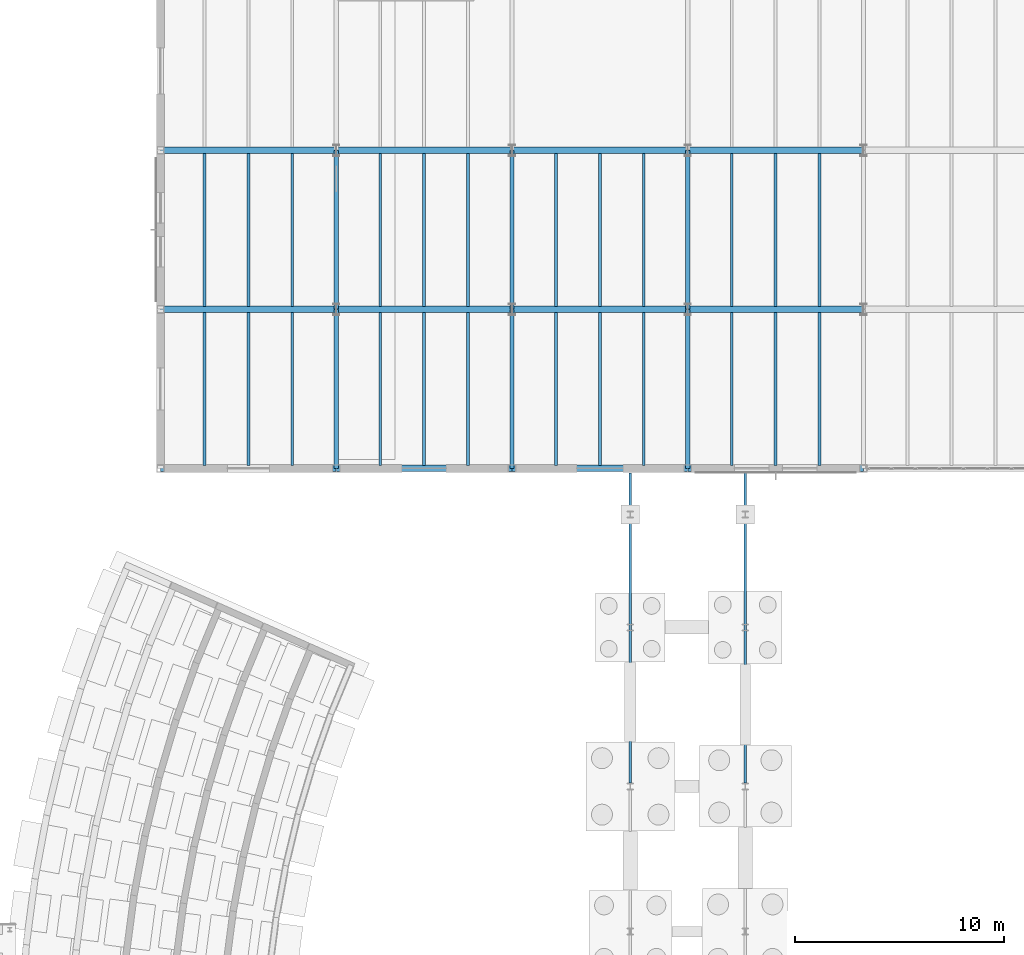
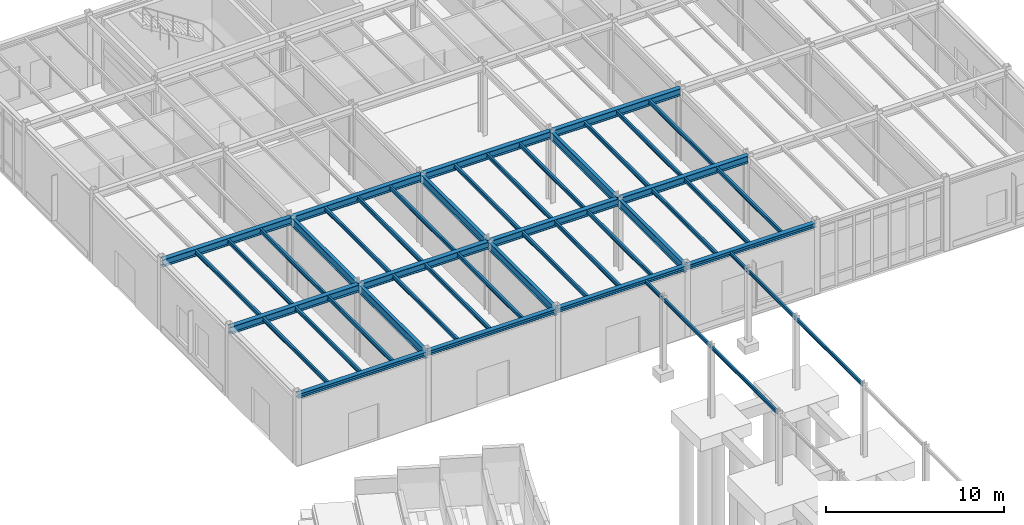
# One storey, part 58 of 109: 44 beams.
"""IFC4 building model written with IfcOpenShell, lengths in metres."""

from ifc_helpers import new_model, si_unit, direction, frame, origin, origin_2d, place, context, subcontext, project, spatial, i_section, extrude, material, material_profile, profile_set, type_object, element, save


model = new_model("IFC4")

# Units and contexts
model_context = context("Model", 3, precision=1e-05, world=origin(), true_north=direction((0.0, 1.0)))
body_context = subcontext(model_context, "Body", "Model", "MODEL_VIEW")
ifc_project = project(units=[si_unit("LENGTHUNIT", "METRE"), si_unit("AREAUNIT", "SQUARE_METRE"), si_unit("VOLUMEUNIT", "CUBIC_METRE"), si_unit("PLANEANGLEUNIT", "RADIAN"), si_unit("MASSUNIT", "GRAM", prefix="KILO")], contexts=[model_context])

# Site, building, storey
site_placement = place(None, origin())
site = spatial("IfcSite", under=ifc_project, at=site_placement, CompositionType="ELEMENT")
building_placement = place(site_placement, origin())
building = spatial("IfcBuilding", under=site, at=building_placement, Name="Montecoro Central Library", CompositionType="ELEMENT")
storey_placement = place(building_placement, origin())
storey = spatial("IfcBuildingStorey", under=building, at=storey_placement, Name="L00", CompositionType="ELEMENT", Elevation=0.0)

# Beams
ifc_material_1 = material(Name="Steel S355J2", Category="steel")
ifc_material_profile_1 = material_profile(ifc_material_1, i_section(OverallWidth=0.300048828125, OverallDepth=0.489990234375, WebThickness=0.011962890625, FlangeThickness=0.02294921875, at=origin_2d()), Name="HEA 500")
ifc_profile_set_1 = profile_set([ifc_material_profile_1], Name="Steel S355J2")
beam_type_1 = type_object("IfcBeamType", Name="BM-G-HEA500", PredefinedType="USERDEFINED", material=ifc_profile_set_1)
beam_1_placement = place(storey_placement, frame((66.405029296875, 88.60009765625, 4.60009765625), z_axis=(1.0, 0.0, 0.0), x_axis=(0.0, 1.0, 0.0)))
element("IfcBeam", 1, at=beam_1_placement, inside=storey, type_object=beam_type_1, Name="V2-L00-BX-910-M", ObjectType="GIRDER", PredefinedType="USERDEFINED", context=body_context, shape_type="SweptSolid", body=[
    extrude(i_section(OverallWidth=0.300048828125, OverallDepth=0.489990234375, WebThickness=0.011962890625, FlangeThickness=0.02294921875, at=origin_2d()), origin(), (0.0, 0.0, 1.0), 8.389892578125),
])
beam_2_placement = place(storey_placement, frame((74.804931640625, 88.60009765625, 4.60009765625), z_axis=(1.0, 0.0, 0.0), x_axis=(0.0, 1.0, 0.0)))
element("IfcBeam", 2, at=beam_2_placement, inside=storey, type_object=beam_type_1, Name="V2-L00-BX-1011-M", ObjectType="GIRDER", PredefinedType="USERDEFINED", context=body_context, shape_type="SweptSolid", body=[
    extrude(i_section(OverallWidth=0.300048828125, OverallDepth=0.489990234375, WebThickness=0.011962890625, FlangeThickness=0.02294921875, at=origin_2d()), origin(), (0.0, 0.0, 1.0), 8.39013671875),
])
beam_3_placement = place(storey_placement, frame((83.205078125, 88.60009765625, 4.60009765625), z_axis=(1.0, 0.0, 0.0), x_axis=(0.0, 1.0, 0.0)))
element("IfcBeam", 3, at=beam_3_placement, inside=storey, type_object=beam_type_1, Name="V2-L00-BX-1112-M", ObjectType="GIRDER", PredefinedType="USERDEFINED", context=body_context, shape_type="SweptSolid", body=[
    extrude(i_section(OverallWidth=0.300048828125, OverallDepth=0.489990234375, WebThickness=0.011962890625, FlangeThickness=0.02294921875, at=origin_2d()), origin(), (0.0, 0.0, 1.0), 8.389892578125),
])
beam_4_placement = place(storey_placement, frame((91.60498046875, 88.60009765625, 4.60009765625), z_axis=(1.0, 0.0, 0.0), x_axis=(0.0, 1.0, 0.0)))
element("IfcBeam", 4, at=beam_4_placement, inside=storey, type_object=beam_type_1, Name="V2-L00-BX-1213-M", ObjectType="GIRDER", PredefinedType="USERDEFINED", context=body_context, shape_type="SweptSolid", body=[
    extrude(i_section(OverallWidth=0.300048828125, OverallDepth=0.489990234375, WebThickness=0.011962890625, FlangeThickness=0.02294921875, at=origin_2d()), origin(), (0.0, 0.0, 1.0), 8.39013671875),
])
beam_5_placement = place(storey_placement, frame((66.405029296875, 96.199951171875, 4.60009765625), z_axis=(1.0, 0.0, 0.0), x_axis=(0.0, 1.0, 0.0)))
element("IfcBeam", 5, at=beam_5_placement, inside=storey, type_object=beam_type_1, Name="V2-L00-BX-910-N", ObjectType="GIRDER", PredefinedType="USERDEFINED", context=body_context, shape_type="SweptSolid", body=[
    extrude(i_section(OverallWidth=0.300048828125, OverallDepth=0.489990234375, WebThickness=0.011962890625, FlangeThickness=0.02294921875, at=origin_2d()), origin(), (0.0, 0.0, 1.0), 8.389892578125),
])
beam_6_placement = place(storey_placement, frame((74.804931640625, 96.199951171875, 4.60009765625), z_axis=(1.0, 0.0, 0.0), x_axis=(0.0, 1.0, 0.0)))
element("IfcBeam", 6, at=beam_6_placement, inside=storey, type_object=beam_type_1, Name="V2-L00-BX-1011-N", ObjectType="GIRDER", PredefinedType="USERDEFINED", context=body_context, shape_type="SweptSolid", body=[
    extrude(i_section(OverallWidth=0.300048828125, OverallDepth=0.489990234375, WebThickness=0.011962890625, FlangeThickness=0.02294921875, at=origin_2d()), origin(), (0.0, 0.0, 1.0), 8.39013671875),
])
beam_7_placement = place(storey_placement, frame((83.205078125, 96.199951171875, 4.60009765625), z_axis=(1.0, 0.0, 0.0), x_axis=(0.0, 1.0, 0.0)))
element("IfcBeam", 7, at=beam_7_placement, inside=storey, type_object=beam_type_1, Name="V2-L00-BX-1112-N", ObjectType="GIRDER", PredefinedType="USERDEFINED", context=body_context, shape_type="SweptSolid", body=[
    extrude(i_section(OverallWidth=0.300048828125, OverallDepth=0.489990234375, WebThickness=0.011962890625, FlangeThickness=0.02294921875, at=origin_2d()), origin(), (0.0, 0.0, 1.0), 8.389892578125),
])
beam_8_placement = place(storey_placement, frame((91.60498046875, 96.199951171875, 4.60009765625), z_axis=(1.0, 0.0, 0.0), x_axis=(0.0, 1.0, 0.0)))
element("IfcBeam", 8, at=beam_8_placement, inside=storey, type_object=beam_type_1, Name="V2-L00-BX-1213-N", ObjectType="GIRDER", PredefinedType="USERDEFINED", context=body_context, shape_type="SweptSolid", body=[
    extrude(i_section(OverallWidth=0.300048828125, OverallDepth=0.489990234375, WebThickness=0.011962890625, FlangeThickness=0.02294921875, at=origin_2d()), origin(), (0.0, 0.0, 1.0), 8.39013671875),
])
ifc_material_profile_2 = material_profile(ifc_material_1, i_section(OverallWidth=0.2099609375, OverallDepth=0.550048828125, WebThickness=0.010986328125, FlangeThickness=0.01708984375, at=origin_2d()), Name="IPE 550")
ifc_profile_set_2 = profile_set([ifc_material_profile_2], Name="Steel S355J2")
beam_type_2 = type_object("IfcBeamType", Name="BM-G-IPE550", PredefinedType="USERDEFINED", material=ifc_profile_set_2)
for number, where, z_axis, x_axis, name in (
    (9, (74.800048828125, 81.0048828125, 4.570068359375), (0.0, 1.0, 0.0), (-1.0, 0.0, 0.0), "V2-L00-BY-10-LM"),
    (10, (74.800048828125, 88.60498046875, 4.570068359375), (0.0, 1.0, 0.0), (-1.0, 0.0, 0.0), "V2-L00-BY-10-MN"),
    (11, (83.199951171875, 81.0048828125, 4.570068359375), (0.0, 1.0, 0.0), (-1.0, 0.0, 0.0), "V2-L00-BY-11-LM"),
    (12, (83.199951171875, 88.60498046875, 4.570068359375), (0.0, 1.0, 0.0), (-1.0, 0.0, 0.0), "V2-L00-BY-11-MN"),
    (13, (91.60009765625, 81.0048828125, 4.570068359375), (0.0, 1.0, 0.0), (-1.0, 0.0, 0.0), "V2-L00-BY-12-LM"),
    (14, (91.60009765625, 88.60498046875, 4.570068359375), (0.0, 1.0, 0.0), (-1.0, 0.0, 0.0), "V2-L00-BY-12-MN"),
):
    element("IfcBeam", number, at=place(storey_placement, frame(where, z_axis=z_axis, x_axis=x_axis)), inside=storey, type_object=beam_type_2, Name=name, ObjectType="GIRDER", PredefinedType="USERDEFINED", context=body_context, shape_type="SweptSolid", body=[
        extrude(i_section(OverallWidth=0.2099609375, OverallDepth=0.550048828125, WebThickness=0.010986328125, FlangeThickness=0.01708984375, at=origin_2d()), origin(), (0.0, 0.0, 1.0), 7.590087890625),
    ])
ifc_material_2 = material(Name="Steel S355", Category="steel")
ifc_material_profile_3 = material_profile(ifc_material_2, i_section(OverallWidth=0.135009765625, OverallDepth=0.27001953125, WebThickness=0.006591796875, FlangeThickness=0.01025390625, at=origin_2d()), Name="IPE 270")
ifc_profile_set_3 = profile_set([ifc_material_profile_3], Name="Steel S355")
beam_type_3 = type_object("IfcBeamType", Name="BM-J-IPE270", PredefinedType="JOIST", material=ifc_profile_set_3)
for number, where, z_axis, x_axis, name in (
    (15, (68.5, 81.14697265625, 4.7099609375), (0.0, 1.0, 0.0), (-1.0, 0.0, 0.0), "V2-L00-JS-910-LM-1"),
    (16, (70.60009765625, 81.14697265625, 4.7099609375), (0.0, 1.0, 0.0), (-1.0, 0.0, 0.0), "V2-L00-JS-910-LM-2"),
    (17, (72.699951171875, 81.14697265625, 4.7099609375), (0.0, 1.0, 0.0), (-1.0, 0.0, 0.0), "V2-L00-JS-910-LM-3"),
    (18, (68.5, 88.7470703125, 4.7099609375), (0.0, 1.0, 0.0), (-1.0, 0.0, 0.0), "V2-L00-JS-910-MN-1"),
    (19, (70.60009765625, 88.7470703125, 4.7099609375), (0.0, 1.0, 0.0), (-1.0, 0.0, 0.0), "V2-L00-JS-910-MN-2"),
    (20, (72.699951171875, 88.7470703125, 4.7099609375), (0.0, 1.0, 0.0), (-1.0, 0.0, 0.0), "V2-L00-JS-910-MN-3"),
    (21, (76.89990234375, 81.14697265625, 4.7099609375), (0.0, 1.0, 0.0), (-1.0, 0.0, 0.0), "V2-L00-JS-1011-LM-1"),
    (22, (79.0, 81.14697265625, 4.7099609375), (0.0, 1.0, 0.0), (-1.0, 0.0, 0.0), "V2-L00-JS-1011-LM-2"),
    (23, (81.10009765625, 81.14697265625, 4.7099609375), (0.0, 1.0, 0.0), (-1.0, 0.0, 0.0), "V2-L00-JS-1011-LM-3"),
    (24, (76.89990234375, 88.7470703125, 4.7099609375), (0.0, 1.0, 0.0), (-1.0, 0.0, 0.0), "V2-L00-JS-1011-MN-1"),
    (25, (79.0, 88.7470703125, 4.7099609375), (0.0, 1.0, 0.0), (-1.0, 0.0, 0.0), "V2-L00-JS-1011-MN-2"),
    (26, (81.10009765625, 88.7470703125, 4.7099609375), (0.0, 1.0, 0.0), (-1.0, 0.0, 0.0), "V2-L00-JS-1011-MN-3"),
    (27, (85.300048828125, 81.14697265625, 4.7099609375), (0.0, 1.0, 0.0), (-1.0, 0.0, 0.0), "V2-L00-JS-1112-LM-1"),
    (28, (87.39990234375, 81.14697265625, 4.7099609375), (0.0, 1.0, 0.0), (-1.0, 0.0, 0.0), "V2-L00-JS-1112-LM-2"),
    (29, (89.5, 81.14697265625, 4.7099609375), (0.0, 1.0, 0.0), (-1.0, 0.0, 0.0), "V2-L00-JS-1112-LM-3"),
    (30, (85.300048828125, 88.7470703125, 4.7099609375), (0.0, 1.0, 0.0), (-1.0, 0.0, 0.0), "V2-L00-JS-1112-MN-1"),
    (31, (87.39990234375, 88.7470703125, 4.7099609375), (0.0, 1.0, 0.0), (-1.0, 0.0, 0.0), "V2-L00-JS-1112-MN-2"),
    (32, (89.5, 88.7470703125, 4.7099609375), (0.0, 1.0, 0.0), (-1.0, 0.0, 0.0), "V2-L00-JS-1112-MN-3"),
    (33, (93.699951171875, 81.14697265625, 4.7099609375), (0.0, 1.0, 0.0), (-1.0, 0.0, 0.0), "V2-L00-JS-1213-LM-1"),
    (34, (95.800048828125, 81.14697265625, 4.7099609375), (0.0, 1.0, 0.0), (-1.0, 0.0, 0.0), "V2-L00-JS-1213-LM-2"),
    (35, (97.89990234375, 81.14697265625, 4.7099609375), (0.0, 1.0, 0.0), (-1.0, 0.0, 0.0), "V2-L00-JS-1213-LM-3"),
    (36, (93.699951171875, 88.7470703125, 4.7099609375), (0.0, 1.0, 0.0), (-1.0, 0.0, 0.0), "V2-L00-JS-1213-MN-1"),
    (37, (95.800048828125, 88.7470703125, 4.7099609375), (0.0, 1.0, 0.0), (-1.0, 0.0, 0.0), "V2-L00-JS-1213-MN-2"),
    (38, (97.89990234375, 88.7470703125, 4.7099609375), (0.0, 1.0, 0.0), (-1.0, 0.0, 0.0), "V2-L00-JS-1213-MN-3"),
):
    element("IfcBeam", number, at=place(storey_placement, frame(where, z_axis=z_axis, x_axis=x_axis)), inside=storey, type_object=beam_type_3, Name=name, PredefinedType="JOIST", context=body_context, shape_type="SweptSolid", body=[
        extrude(i_section(OverallWidth=0.135009765625, OverallDepth=0.27001953125, WebThickness=0.006591796875, FlangeThickness=0.01025390625, at=origin_2d()), origin(), (0.0, 0.0, 1.0), 7.305908203125),
    ])
ifc_material_profile_4 = material_profile(ifc_material_2, i_section(OverallWidth=0.300048828125, OverallDepth=0.2900390625, WebThickness=0.008544921875, FlangeThickness=0.013916015625, at=origin_2d()), Name="HEA 300")
ifc_profile_set_4 = profile_set([ifc_material_profile_4], Name="Steel S355")
beam_type_4 = type_object("IfcBeamType", Name="BM-SP-HEA300", PredefinedType="SPANDREL", material=ifc_profile_set_4)
beam_9_placement = place(storey_placement, frame((66.405029296875, 81.0, 4.699951171875), z_axis=(1.0, 0.0, 0.0), x_axis=(0.0, 1.0, 0.0)))
element("IfcBeam", 39, at=beam_9_placement, inside=storey, type_object=beam_type_4, Name="V2-L00-BX-910-L", PredefinedType="SPANDREL", context=body_context, shape_type="SweptSolid", body=[
    extrude(i_section(OverallWidth=0.300048828125, OverallDepth=0.2900390625, WebThickness=0.008544921875, FlangeThickness=0.013916015625, at=origin_2d()), origin(), (0.0, 0.0, 1.0), 8.389892578125),
])
beam_10_placement = place(storey_placement, frame((74.804931640625, 81.0, 4.699951171875), z_axis=(1.0, 0.0, 0.0), x_axis=(0.0, 1.0, 0.0)))
element("IfcBeam", 40, at=beam_10_placement, inside=storey, type_object=beam_type_4, Name="V2-L00-BX-1011-L", PredefinedType="SPANDREL", context=body_context, shape_type="SweptSolid", body=[
    extrude(i_section(OverallWidth=0.300048828125, OverallDepth=0.2900390625, WebThickness=0.008544921875, FlangeThickness=0.013916015625, at=origin_2d()), origin(), (0.0, 0.0, 1.0), 8.39013671875),
])
beam_11_placement = place(storey_placement, frame((83.205078125, 81.0, 4.699951171875), z_axis=(1.0, 0.0, 0.0), x_axis=(0.0, 1.0, 0.0)))
element("IfcBeam", 41, at=beam_11_placement, inside=storey, type_object=beam_type_4, Name="V2-L00-BX-1112-L", PredefinedType="SPANDREL", context=body_context, shape_type="SweptSolid", body=[
    extrude(i_section(OverallWidth=0.300048828125, OverallDepth=0.2900390625, WebThickness=0.008544921875, FlangeThickness=0.013916015625, at=origin_2d()), origin(), (0.0, 0.0, 1.0), 8.389892578125),
])
beam_12_placement = place(storey_placement, frame((91.60498046875, 81.0, 4.699951171875), z_axis=(1.0, 0.0, 0.0), x_axis=(0.0, 1.0, 0.0)))
element("IfcBeam", 42, at=beam_12_placement, inside=storey, type_object=beam_type_4, Name="V2-L00-BX-1213-L", PredefinedType="SPANDREL", context=body_context, shape_type="SweptSolid", body=[
    extrude(i_section(OverallWidth=0.300048828125, OverallDepth=0.2900390625, WebThickness=0.008544921875, FlangeThickness=0.013916015625, at=origin_2d()), origin(), (0.0, 0.0, 1.0), 8.39013671875),
])
ifc_material_profile_5 = material_profile(ifc_material_2, i_section(OverallWidth=0.1201171875, OverallDepth=0.239990234375, WebThickness=0.006103515625, FlangeThickness=0.009765625, at=origin_2d()), Name="IPE 240")
ifc_profile_set_5 = profile_set([ifc_material_profile_5], Name="Steel S355")
beam_type_5 = type_object("IfcBeamType", Name="BM-SP-IPE240", PredefinedType="SPANDREL", material=ifc_profile_set_5)
for number, where, z_axis, x_axis, name in (
    (43, (88.85009765625, 65.9599609375, 4.794921875), (0.0, 1.0, 0.0), (-1.0, 0.0, 0.0), "BR-N-L01-BM-W2"),
    (44, (94.35009765625, 65.9599609375, 4.794921875), (0.0, 1.0, 0.0), (-1.0, 0.0, 0.0), "BR-N-L01-BM-E2"),
):
    element("IfcBeam", number, at=place(storey_placement, frame(where, z_axis=z_axis, x_axis=x_axis)), inside=storey, type_object=beam_type_5, Name=name, PredefinedType="SPANDREL", context=body_context, shape_type="SweptSolid", body=[
        extrude(i_section(OverallWidth=0.1201171875, OverallDepth=0.239990234375, WebThickness=0.006103515625, FlangeThickness=0.009765625, at=origin_2d()), origin(), (0.0, 0.0, 1.0), 14.820068359375),
    ])

save(model, "model.ifc")
